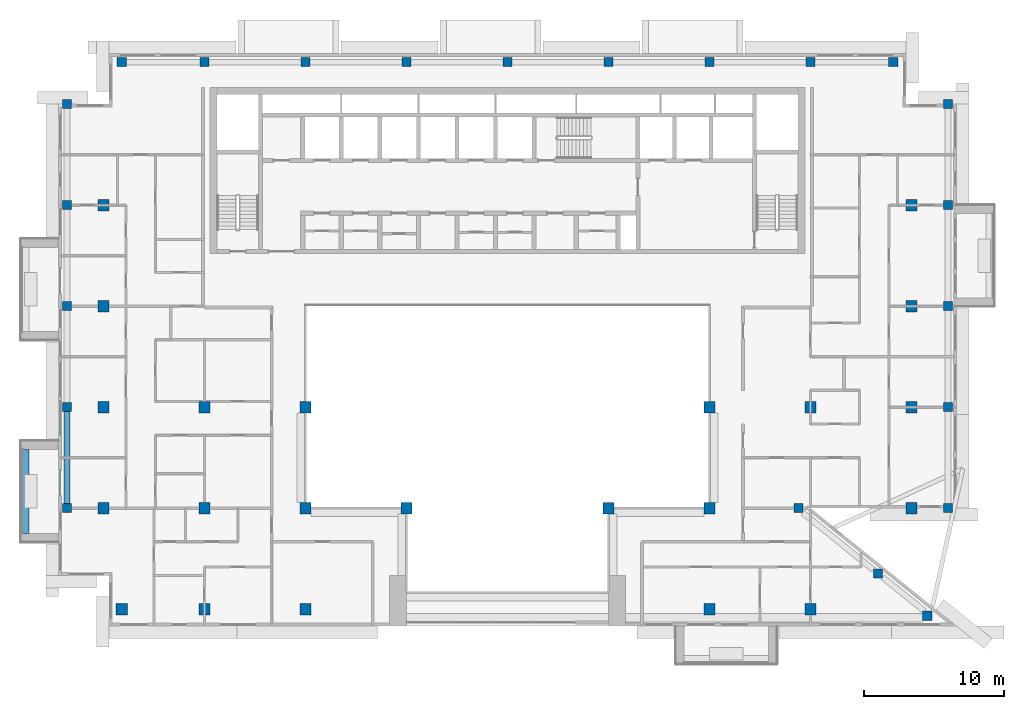
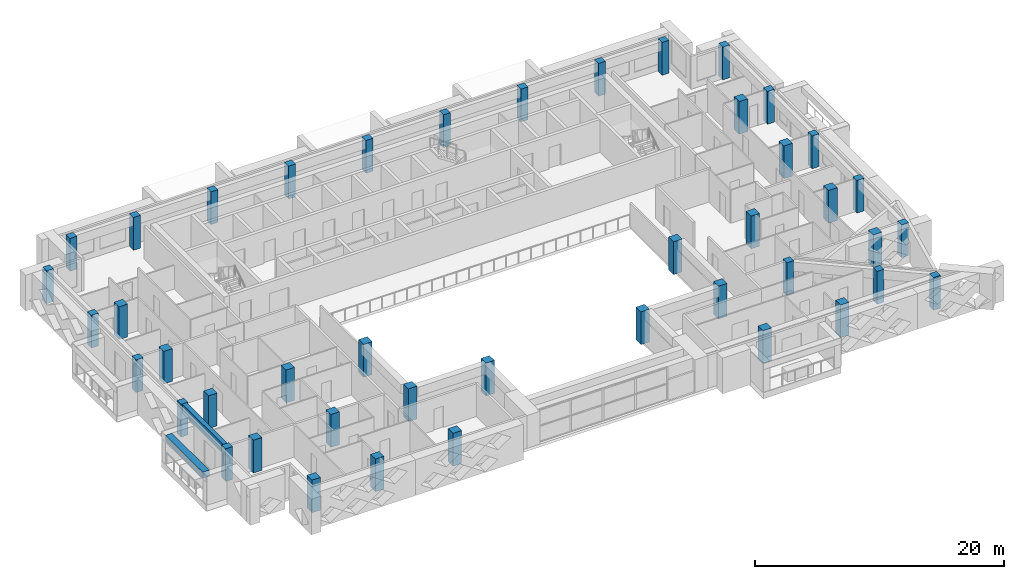
# One storey, part 1 of 19: 44 columns, 2 beams.
"""IFC4 building model written with IfcOpenShell, lengths in metres."""

from ifc_helpers import new_model, si_unit, direction, frame, origin, origin_2d, place, context, subcontext, project, spatial, rectangle, extrude, source, transform, mapped, material, material_profile, profile_set, type_object, element, save


model = new_model("IFC4")

# Units and contexts
model_context = context("Model", 3, precision=1e-05, world=origin(), true_north=direction((0.0, 1.0)))
body_context = subcontext(model_context, "Body", "Model", "MODEL_VIEW")
ifc_project = project(units=[si_unit("LENGTHUNIT", "METRE"), si_unit("AREAUNIT", "SQUARE_METRE"), si_unit("VOLUMEUNIT", "CUBIC_METRE"), si_unit("PLANEANGLEUNIT", "RADIAN"), si_unit("MASSUNIT", "GRAM", prefix="KILO")], contexts=[model_context])

# Site, building, storey
site_placement = place(None, origin())
site = spatial("IfcSite", under=ifc_project, at=site_placement, CompositionType="ELEMENT")
building_placement = place(site_placement, origin())
building = spatial("IfcBuilding", under=site, at=building_placement, Name="Saffron Iwan Residences", CompositionType="ELEMENT")
storey_placement = place(building_placement, frame((0.0, 0.0, 250.0)))
storey = spatial("IfcBuildingStorey", under=building, at=storey_placement, Name="L67", CompositionType="ELEMENT", Elevation=250.0)

# Columns
ifc_material_1 = material(Name="Concrete C40/50", Category="concrete")
ifc_material_profile_1 = material_profile(ifc_material_1, rectangle(XDim=0.64990234375, YDim=0.64990234375, at=origin_2d()), Name="RC 650x650")
ifc_profile_set_1 = profile_set([ifc_material_profile_1], Name="Concrete C40/50")
column_type_1 = type_object("IfcColumnType", Name="COL RC 650x650 C40/50 3220 HIGH", PredefinedType="COLUMN", material=ifc_profile_set_1)
shared_shape_1 = source(origin(), body_context, "Body", "SweptSolid", [
    extrude(rectangle(XDim=0.64990234375, YDim=0.64990234375, at=origin_2d()), origin(), (0.0, 0.0, 1.0), 3.219970703125),
])
for number, where, z_axis, x_axis, name in (
    (1, (80.32568359375, 40.3330078125, 0.0), (0.0, 0.0, 1.0), (1.0, 0.0, 0.0), "Column C046"),
    (2, (76.822998046875, 43.333251953125, 0.0), (0.0, 0.0, 1.0), (1.0, 0.0, 0.0), "Column C057"),
    (3, (19.0, 48.0, 0.0), (0.0, 0.0, 1.0), (1.0, 0.0, 0.0), "Column C062"),
    (4, (71.14990234375, 48.0, 0.0), (0.0, 0.0, 1.0), (1.0, 0.0, 0.0), "Column C070"),
    (5, (81.800048828125, 48.0, 0.0), (0.0, 0.0, 1.0), (1.0, 0.0, 0.0), "Column C073"),
    (6, (19.0, 55.199951171875, 0.0), (0.0, 0.0, 1.0), (1.0, 0.0, 0.0), "Column C078"),
    (7, (81.800048828125, 55.199951171875, 0.0), (0.0, 0.0, 1.0), (1.0, 0.0, 0.0), "Column C085"),
    (8, (19.0, 62.39990234375, 0.0), (0.0, 0.0, 1.0), (1.0, 0.0, 0.0), "Column C090"),
    (9, (81.800048828125, 62.39990234375, 0.0), (0.0, 0.0, 1.0), (1.0, 0.0, 0.0), "Column C093"),
    (10, (19.0, 69.60009765625, 0.0), (0.0, 0.0, 1.0), (1.0, 0.0, 0.0), "Column C098"),
    (11, (81.800048828125, 69.60009765625, 0.0), (0.0, 0.0, 1.0), (1.0, 0.0, 0.0), "Column C101"),
    (12, (19.0, 76.800048828125, 0.0), (0.0, 0.0, 1.0), (1.0, 0.0, 0.0), "Column C106"),
    (13, (81.800048828125, 76.800048828125, 0.0), (0.0, 0.0, 1.0), (1.0, 0.0, 0.0), "Column C109"),
    (14, (22.89990234375, 79.800048828125, 0.0), (0.0, 0.0, 1.0), (1.0, 0.0, 0.0), "Column C114"),
    (15, (28.800048828125, 79.800048828125, 0.0), (0.0, 0.0, 1.0), (1.0, 0.0, 0.0), "Column C115"),
    (16, (36.0, 79.800048828125, 0.0), (0.0, 0.0, 1.0), (1.0, 0.0, 0.0), "Column C116"),
    (17, (43.199951171875, 79.800048828125, 0.0), (0.0, 0.0, 1.0), (1.0, 0.0, 0.0), "Column C117"),
    (18, (50.39990234375, 79.800048828125, 0.0), (0.0, 0.0, 1.0), (1.0, 0.0, 0.0), "Column C118"),
    (19, (57.60009765625, 79.800048828125, 0.0), (0.0, 0.0, 1.0), (1.0, 0.0, 0.0), "Column C119"),
    (20, (64.800048828125, 79.800048828125, 0.0), (0.0, 0.0, 1.0), (1.0, 0.0, 0.0), "Column C120"),
    (21, (72.0, 79.800048828125, 0.0), (0.0, 0.0, 1.0), (1.0, 0.0, 0.0), "Column C121"),
    (22, (77.89990234375, 79.800048828125, 0.0), (0.0, 0.0, 1.0), (1.0, 0.0, 0.0), "Column C122"),
):
    element("IfcColumn", number, at=place(storey_placement, frame(where, z_axis=z_axis, x_axis=x_axis)), inside=storey, type_object=column_type_1, Name=name, PredefinedType="COLUMN", context=body_context, shape_type="MappedRepresentation", body=[
        mapped(shared_shape_1, transform((0.0, 0.0, 0.0))),
    ])
ifc_material_profile_2 = material_profile(ifc_material_1, rectangle(XDim=0.800048828125, YDim=0.800048828125, at=origin_2d()), Name="RC 800x800")
ifc_profile_set_2 = profile_set([ifc_material_profile_2], Name="Concrete C40/50")
column_type_2 = type_object("IfcColumnType", Name="COL RC 800x800 C40/50 3220 HIGH", PredefinedType="COLUMN", material=ifc_profile_set_2)
shared_shape_2 = source(origin(), body_context, "Body", "SweptSolid", [
    extrude(rectangle(XDim=0.800048828125, YDim=0.800048828125, at=origin_2d()), origin(), (0.0, 0.0, 1.0), 3.219970703125),
])
for number, where, z_axis, x_axis, name in (
    (23, (22.89990234375, 40.800048828125, 0.0), (0.0, 0.0, 1.0), (1.0, 0.0, 0.0), "Column C050"),
    (24, (28.800048828125, 40.800048828125, 0.0), (0.0, 0.0, 1.0), (1.0, 0.0, 0.0), "Column C051"),
    (25, (36.0, 40.800048828125, 0.0), (0.0, 0.0, 1.0), (1.0, 0.0, 0.0), "Column C052"),
    (26, (64.800048828125, 40.800048828125, 0.0), (0.0, 0.0, 1.0), (1.0, 0.0, 0.0), "Column C055"),
    (27, (72.0, 40.800048828125, 0.0), (0.0, 0.0, 1.0), (1.0, 0.0, 0.0), "Column C056"),
    (28, (21.60009765625, 48.0, 0.0), (0.0, 0.0, 1.0), (1.0, 0.0, 0.0), "Column C063"),
    (29, (28.800048828125, 48.0, 0.0), (0.0, 0.0, 1.0), (1.0, 0.0, 0.0), "Column C064"),
    (30, (36.0, 48.0, 0.0), (0.0, 0.0, 1.0), (1.0, 0.0, 0.0), "Column C065"),
    (31, (43.199951171875, 48.0, 0.0), (0.0, 0.0, 1.0), (1.0, 0.0, 0.0), "Column C066"),
    (32, (57.60009765625, 48.0, 0.0), (0.0, 0.0, 1.0), (1.0, 0.0, 0.0), "Column C068"),
    (33, (64.800048828125, 48.0, 0.0), (0.0, 0.0, 1.0), (1.0, 0.0, 0.0), "Column C069"),
    (34, (79.199951171875, 48.0, 0.0), (0.0, 0.0, 1.0), (1.0, 0.0, 0.0), "Column C072"),
    (35, (21.60009765625, 55.199951171875, 0.0), (0.0, 0.0, 1.0), (1.0, 0.0, 0.0), "Column C079"),
    (36, (28.800048828125, 55.199951171875, 0.0), (0.0, 0.0, 1.0), (1.0, 0.0, 0.0), "Column C080"),
    (37, (36.0, 55.199951171875, 0.0), (0.0, 0.0, 1.0), (1.0, 0.0, 0.0), "Column C081"),
    (38, (64.800048828125, 55.199951171875, 0.0), (0.0, 0.0, 1.0), (1.0, 0.0, 0.0), "Column C082"),
    (39, (72.0, 55.199951171875, 0.0), (0.0, 0.0, 1.0), (1.0, 0.0, 0.0), "Column C083"),
    (40, (79.199951171875, 55.199951171875, 0.0), (0.0, 0.0, 1.0), (1.0, 0.0, 0.0), "Column C084"),
    (41, (21.60009765625, 62.39990234375, 0.0), (0.0, 0.0, 1.0), (1.0, 0.0, 0.0), "Column C091"),
    (42, (79.199951171875, 62.39990234375, 0.0), (0.0, 0.0, 1.0), (1.0, 0.0, 0.0), "Column C092"),
    (43, (21.60009765625, 69.60009765625, 0.0), (0.0, 0.0, 1.0), (1.0, 0.0, 0.0), "Column C099"),
    (44, (79.199951171875, 69.60009765625, 0.0), (0.0, 0.0, 1.0), (1.0, 0.0, 0.0), "Column C100"),
):
    element("IfcColumn", number, at=place(storey_placement, frame(where, z_axis=z_axis, x_axis=x_axis)), inside=storey, type_object=column_type_2, Name=name, PredefinedType="COLUMN", context=body_context, shape_type="MappedRepresentation", body=[
        mapped(shared_shape_2, transform((0.0, 0.0, 0.0))),
    ])

# Beams
ifc_material_profile_3 = material_profile(ifc_material_1, rectangle(XDim=0.39990234375, YDim=0.89990234375, at=origin_2d()), Name="RC 400x900")
ifc_profile_set_3 = profile_set([ifc_material_profile_3], Name="Concrete C40/50")
beam_type_1 = type_object("IfcBeamType", Name="SPANDREL BEAM RC 400x900 C40/50 TOP 3220", PredefinedType="SPANDREL", material=ifc_profile_set_3)
shared_shape_3 = source(origin(), body_context, "Body", "SweptSolid", [
    extrude(rectangle(XDim=0.39990234375, YDim=0.89990234375, at=origin_2d()), origin(), (0.0, 0.0, 1.0), 6.550048828125),
])
beam_1_placement = place(storey_placement, frame((19.0, 48.324951171875, 2.77001953125), z_axis=(0.0, 1.0, 0.0), x_axis=(-1.0, 0.0, 0.0)))
element("IfcBeam", 45, at=beam_1_placement, inside=storey, type_object=beam_type_1, Name="Spandrel beam", PredefinedType="SPANDREL", context=body_context, shape_type="MappedRepresentation", body=[
    mapped(shared_shape_3, transform((0.0, 0.0, 0.0))),
])
ifc_material_2 = material(Name="Concrete C50/60 white painted", Category="concrete")
ifc_material_profile_4 = material_profile(ifc_material_2, rectangle(XDim=0.60009765625, YDim=0.60009765625, at=origin_2d()), Name="BALCONY FASCIA BEAM 600 x 600")
ifc_profile_set_4 = profile_set([ifc_material_profile_4], Name="Concrete C50/60 white painted")
beam_type_2 = type_object("IfcBeamType", Name="BALCONY FASCIA BEAM 600 x 600", PredefinedType="BEAM", material=ifc_profile_set_4)
shared_shape_4 = source(origin(), body_context, "Body", "SweptSolid", [
    extrude(rectangle(XDim=0.60009765625, YDim=0.60009765625, at=origin_2d()), origin(), (0.0, 0.0, 1.0), 6.0),
])
beam_2_placement = place(storey_placement, frame((16.0, 52.199951171875, 2.550048828125), z_axis=(0.0, -1.0, 0.0), x_axis=(1.0, 0.0, 0.0)))
element("IfcBeam", 46, at=beam_2_placement, inside=storey, type_object=beam_type_2, Name="Balcony fascia beam L67 F8-1", PredefinedType="BEAM", context=body_context, shape_type="MappedRepresentation", body=[
    mapped(shared_shape_4, transform((0.0, 0.0, 0.0))),
])

save(model, "model.ifc")
